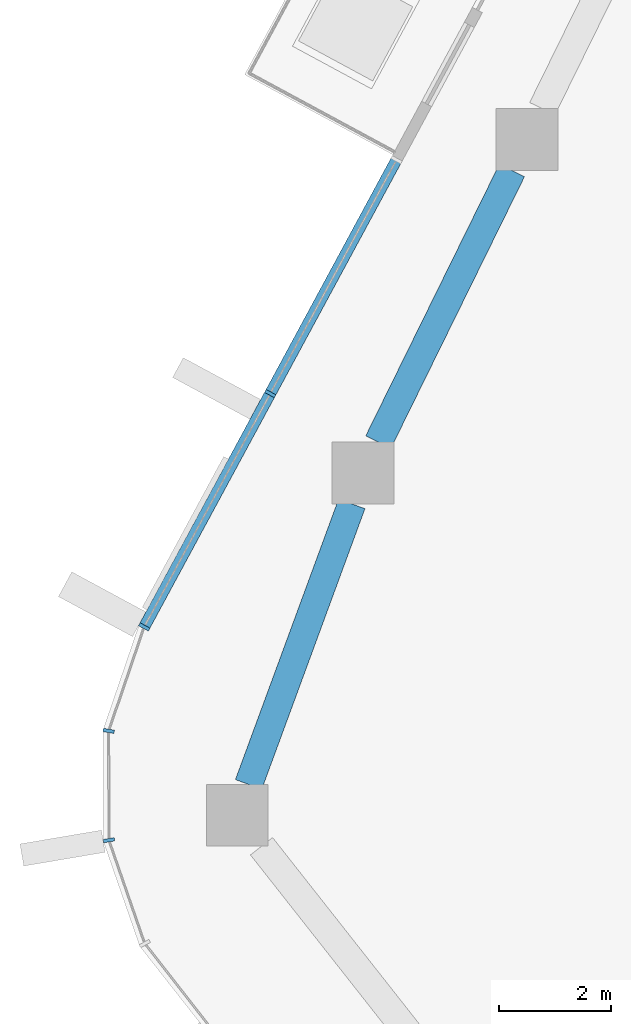
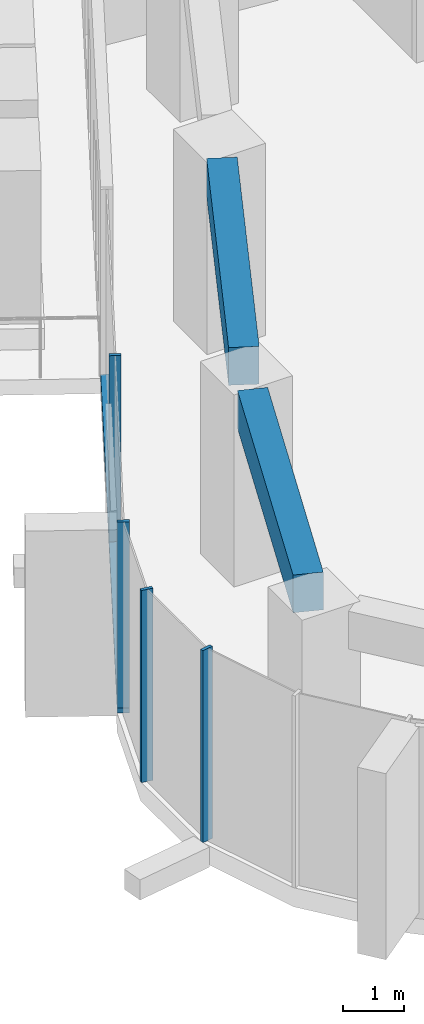
# One storey, part 3 of 20: 5 members, 2 beams, 2 elements without a shape of their own.
"""IFC4 building model written with IfcOpenShell, lengths in metres."""

from ifc_helpers import new_model, si_unit, direction, frame, origin, origin_2d, place, context, subcontext, project, spatial, rectangle, extrude, material, layer, layer_set, material_profile, profile_set, type_object, element, aggregate, save


model = new_model("IFC4")

# Units and contexts
model_context = context("Model", 3, precision=1e-05, world=origin(), true_north=direction((0.0, 1.0)))
body_context = subcontext(model_context, "Body", "Model", "MODEL_VIEW")
ifc_project = project(units=[si_unit("LENGTHUNIT", "METRE"), si_unit("AREAUNIT", "SQUARE_METRE"), si_unit("VOLUMEUNIT", "CUBIC_METRE"), si_unit("PLANEANGLEUNIT", "RADIAN"), si_unit("MASSUNIT", "GRAM", prefix="KILO")], contexts=[model_context])

# Site, building, storey
site_placement = place(None, origin())
site = spatial("IfcSite", under=ifc_project, at=site_placement, CompositionType="ELEMENT")
building_placement = place(site_placement, origin())
building = spatial("IfcBuilding", under=site, at=building_placement, Name="Dongbaek Canopy Tower", CompositionType="ELEMENT")
storey_placement = place(building_placement, frame((0.0, 0.0, 258.0)))
storey = spatial("IfcBuildingStorey", under=building, at=storey_placement, Name="L54", CompositionType="ELEMENT", Elevation=258.0)

# Curtain wall, members
ifc_material_1 = material(Name="Aluminium 6063-T6 pale anodised", Category="aluminium")
ifc_layer = layer(ifc_material_1, 0.199951171875)
ifc_layer_set = layer_set([ifc_layer], Name="CW-1 unitised tower curtain wall")
curtain_wall_type = type_object("IfcCurtainWallType", Name="CW-1 unitised tower curtain wall", PredefinedType="NOTDEFINED", material=ifc_layer_set)
curtain_wall_1_placement = place(storey_placement, origin())
curtain_wall_1 = element("IfcCurtainWall", 1, at=curtain_wall_1_placement, inside=storey, type_object=curtain_wall_type, Name="CW-1 curtain wall F2.1", PredefinedType="NOTDEFINED")
ifc_material_2 = material(Name="Aluminium 6063-T6 pale anodised", Category="aluminium")
ifc_material_profile_1 = material_profile(ifc_material_2, rectangle(XDim=0.199951171875, YDim=0.06005859375, at=origin_2d()), Name="CW-1 mullion 60 x 200")
ifc_profile_set_1 = profile_set([ifc_material_profile_1], Name="Aluminium 6063-T6 pale anodised")
member_type_1 = type_object("IfcMemberType", Name="CW-1 mullion 60 x 200", PredefinedType="MULLION", material=ifc_profile_set_1)
member_1_placement = place(storey_placement, frame((-27.194580078125, 1.489013671875, 0.1201171875), z_axis=(0.0, 0.0, 1.0), x_axis=(-0.879876973154, 0.475201548938, 0.0)))
member_1 = element("IfcMember", 2, at=member_1_placement, type_object=member_type_1, Name="CW-1 mullion F2.1.2", PredefinedType="MULLION", context=body_context, shape_type="SweptSolid", body=[
    extrude(rectangle(XDim=0.199951171875, YDim=0.06005859375, at=origin_2d()), origin(), (0.0, 0.0, 1.0), 3.699951171875),
])
member_2_placement = place(storey_placement, frame((-29.438232421875, -2.66552734375, 0.1201171875), z_axis=(0.0, 0.0, 1.0), x_axis=(-0.879876973154, 0.475201548938, 0.0)))
member_2 = element("IfcMember", 3, at=member_2_placement, type_object=member_type_1, Name="CW-1 mullion F2.1.3", PredefinedType="MULLION", context=body_context, shape_type="SweptSolid", body=[
    extrude(rectangle(XDim=0.199951171875, YDim=0.06005859375, at=origin_2d()), origin(), (0.0, 0.0, 1.0), 3.699951171875),
])

curtain_wall_2_placement = place(storey_placement, origin())
curtain_wall_2 = element("IfcCurtainWall", 4, at=curtain_wall_2_placement, inside=storey, type_object=curtain_wall_type, Name="CW-1 curtain wall K3.1", PredefinedType="NOTDEFINED")
member_3_placement = place(storey_placement, frame((-30.07080078125, -4.51611328125, 0.0), z_axis=(0.0, 0.0, 1.0), x_axis=(-0.986654271649, 0.162829199583, 0.0)))
member_3 = element("IfcMember", 5, at=member_3_placement, type_object=member_type_1, Name="CW-1 mullion K3.1.2", PredefinedType="MULLION", context=body_context, shape_type="SweptSolid", body=[
    extrude(rectangle(XDim=0.199951171875, YDim=0.06005859375, at=origin_2d()), origin(), (0.0, 0.0, 1.0), 3.820068359375),
])
member_4_placement = place(storey_placement, frame((-30.06640625, -6.46337890625, 0.0), z_axis=(0.0, 0.0, 1.0), x_axis=(-0.985908083157, -0.167287930128, 0.0)))
member_4 = element("IfcMember", 6, at=member_4_placement, type_object=member_type_1, Name="CW-1 mullion K3.1.3", PredefinedType="MULLION", context=body_context, shape_type="SweptSolid", body=[
    extrude(rectangle(XDim=0.199951171875, YDim=0.06005859375, at=origin_2d()), origin(), (0.0, 0.0, 1.0), 3.820068359375),
])
aggregate(curtain_wall_2, [member_3, member_4])

# Member
ifc_material_3 = material(Name="Aluminium 6063-T6 pale anodised", Category="aluminium")
ifc_material_profile_2 = material_profile(ifc_material_3, rectangle(XDim=0.199951171875, YDim=0.1201171875, at=origin_2d()), Name="CW-1 transom 120 x 200")
ifc_profile_set_2 = profile_set([ifc_material_profile_2], Name="Aluminium 6063-T6 pale anodised")
member_type_2 = type_object("IfcMemberType", Name="CW-1 transom 120 x 200", PredefinedType="USERDEFINED", material=ifc_profile_set_2)
member_5_placement = place(storey_placement, frame((-24.94677734375, 5.65087890625, 0.06005859375), z_axis=(-0.475197710555, -0.879879046167, 0.0), x_axis=(0.879879046167, -0.475197710555, 0.0)))
member_5 = element("IfcMember", 7, at=member_5_placement, type_object=member_type_2, Name="CW-1 transom F2.1.1", ObjectType="TRANSOM", PredefinedType="USERDEFINED", context=body_context, shape_type="SweptSolid", body=[
    extrude(rectangle(XDim=0.199951171875, YDim=0.1201171875, at=origin_2d()), origin(), (0.0, 0.0, 1.0), 9.45166015625),
])

aggregate(curtain_wall_1, [member_1, member_2, member_5])

# Beams
ifc_material_4 = material(Name="Concrete C70", Category="concrete")
ifc_material_profile_3 = material_profile(ifc_material_4, rectangle(XDim=0.5, YDim=0.75, at=origin_2d()), Name="RC EDGE BEAM 500x750 C70")
ifc_profile_set_3 = profile_set([ifc_material_profile_3], Name="Concrete C70")
beam_type = type_object("IfcBeamType", Name="RC EDGE BEAM 500x750 C70", PredefinedType="BEAM", material=ifc_profile_set_3)
beam_1_placement = place(storey_placement, frame((-27.57958984375, -5.469970703125, 3.445068359375), z_axis=(0.345180317771, 0.938536386201, 0.0), x_axis=(-0.938536386201, 0.345180317771, 0.0)))
element("IfcBeam", 8, at=beam_1_placement, inside=storey, type_object=beam_type, Name="EDGEBEAM:L54:08", PredefinedType="BEAM", context=body_context, shape_type="SweptSolid", body=[
    extrude(rectangle(XDim=0.5, YDim=0.75, at=origin_2d()), origin(), (0.0, 0.0, 1.0), 5.322998046875),
])
beam_2_placement = place(storey_placement, frame((-25.26953125, 0.6259765625, 3.445068359375), z_axis=(0.44133161815, 0.897344082736, 0.0), x_axis=(-0.897344082736, 0.44133161815, 0.0)))
element("IfcBeam", 9, at=beam_2_placement, inside=storey, type_object=beam_type, Name="EDGEBEAM:L54:09", PredefinedType="BEAM", context=body_context, shape_type="SweptSolid", body=[
    extrude(rectangle(XDim=0.5, YDim=0.75, at=origin_2d()), origin(), (0.0, 0.0, 1.0), 5.38818359375),
])

save(model, "model.ifc")
